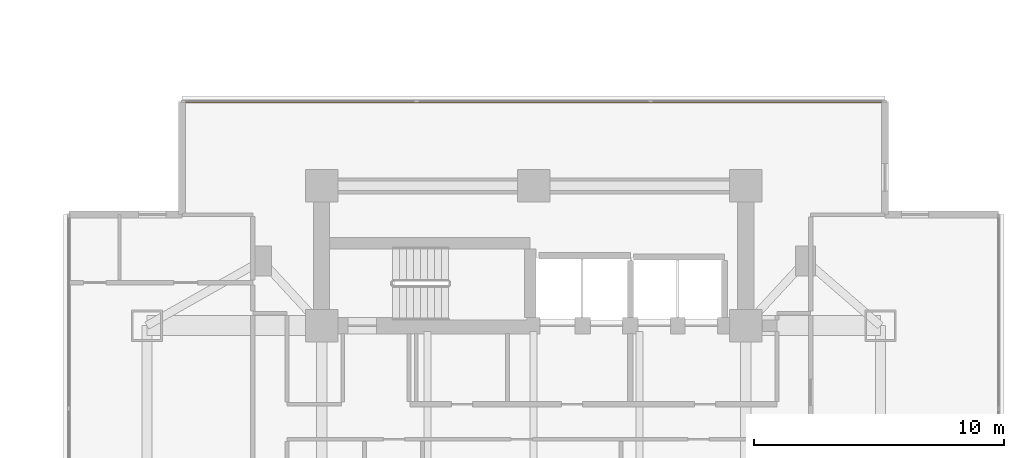
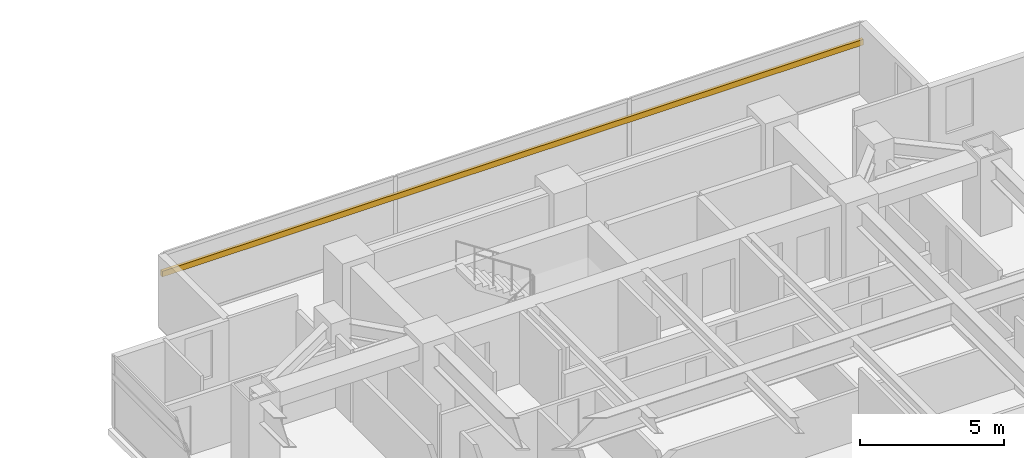
# One storey, part 24 of 24: 1 shading device.
"""IFC4 building model written with IfcOpenShell, lengths in metres."""

from ifc_helpers import new_model, si_unit, direction, frame, origin, origin_2d, place, context, subcontext, project, spatial, rectangle, extrude, material, material_profile, profile_set, type_object, element, save


model = new_model("IFC4")

# Units and contexts
model_context = context("Model", 3, precision=1e-05, world=origin(), true_north=direction((0.0, 1.0)))
body_context = subcontext(model_context, "Body", "Model", "MODEL_VIEW")
ifc_project = project(units=[si_unit("LENGTHUNIT", "METRE"), si_unit("AREAUNIT", "SQUARE_METRE"), si_unit("VOLUMEUNIT", "CUBIC_METRE"), si_unit("PLANEANGLEUNIT", "RADIAN"), si_unit("MASSUNIT", "GRAM", prefix="KILO")], contexts=[model_context])

# Site, building, storey
site_placement = place(None, origin())
site = spatial("IfcSite", under=ifc_project, at=site_placement, CompositionType="ELEMENT")
building_placement = place(site_placement, origin())
building = spatial("IfcBuilding", under=site, at=building_placement, Name="Mirazonda Arch Towers", CompositionType="ELEMENT")
storey_placement = place(building_placement, frame((0.0, 0.0, 68.60009765625)))
storey = spatial("IfcBuildingStorey", under=building, at=storey_placement, Name="L19", CompositionType="ELEMENT", Elevation=68.60009765625)

# Shading device
ifc_material = material(Name="Kiln-Fired Architectural Terracotta", Category="masonry")
ifc_material_profile = material_profile(ifc_material, rectangle(XDim=0.1201171875, YDim=0.239990234375, at=origin_2d()), Name="TERRA-BAG-120x240")
ifc_profile_set = profile_set([ifc_material_profile], Name="Kiln-Fired Architectural Terracotta")
shading_device_type = type_object("IfcShadingDeviceType", Name="BAGUETTE-1", PredefinedType="USERDEFINED", material=ifc_profile_set)
shading_device_placement = place(storey_placement, frame((62.416015625, 44.1923828125, 2.188720703125), z_axis=(1.0, 0.0, 0.0), x_axis=(0.0, 1.0, 0.0)))
element("IfcShadingDevice", 1, at=shading_device_placement, inside=storey, type_object=shading_device_type, Name="L19 Glazed Terracotta Sun-Screen Baguette CW-L19-T2-N", ObjectType="BAGUETTE", PredefinedType="USERDEFINED", context=body_context, shape_type="SweptSolid", body=[
    extrude(rectangle(XDim=0.1201171875, YDim=0.239990234375, at=origin_2d()), origin(), (0.0, 0.0, 1.0), 28.16796875),
])

save(model, "model.ifc")
